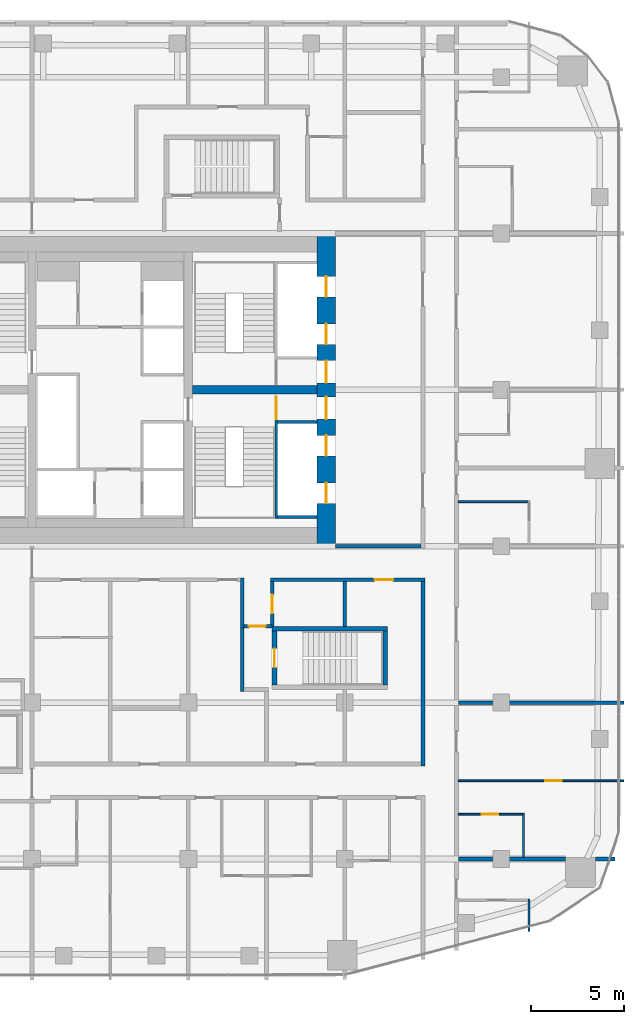
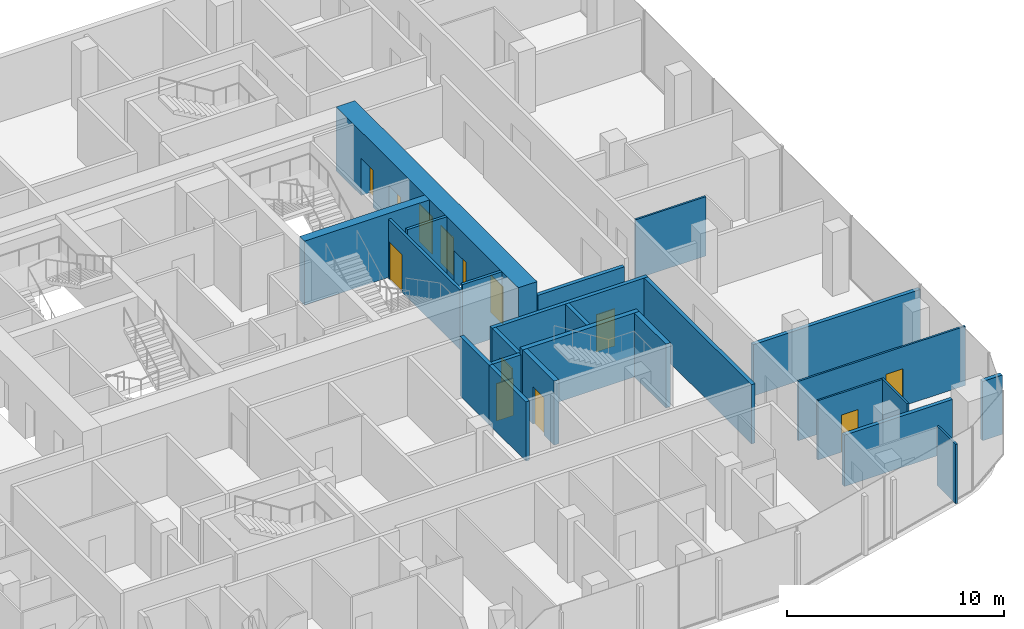
# One storey, part 17 of 23: 24 walls, 13 doors, 13 openings.
"""IFC4 building model written with IfcOpenShell, lengths in metres."""

from ifc_helpers import new_model, si_unit, direction, frame, frame_2d, origin, place, context, subcontext, project, spatial, rectangle, extrude, material, layer, layer_set, type_object, element, fill, save


model = new_model("IFC4")

# Units and contexts
model_context = context("Model", 3, precision=1e-05, world=origin(), true_north=direction((0.0, 1.0)))
body_context = subcontext(model_context, "Body", "Model", "MODEL_VIEW")
ifc_project = project(units=[si_unit("LENGTHUNIT", "METRE"), si_unit("AREAUNIT", "SQUARE_METRE"), si_unit("VOLUMEUNIT", "CUBIC_METRE"), si_unit("PLANEANGLEUNIT", "RADIAN"), si_unit("MASSUNIT", "GRAM", prefix="KILO")], contexts=[model_context])

# Site, building, storey
site_placement = place(None, origin())
site = spatial("IfcSite", under=ifc_project, at=site_placement, CompositionType="ELEMENT")
building_placement = place(site_placement, origin())
building = spatial("IfcBuilding", under=site, at=building_placement, Name="Marenta Gate Hotel Tower", CompositionType="ELEMENT")
storey_placement = place(building_placement, frame((0.0, 0.0, 155.300048828125)))
storey = spatial("IfcBuildingStorey", under=building, at=storey_placement, Name="L36", CompositionType="ELEMENT", Elevation=155.300048828125)

# Walls
ifc_material_1 = material(Name="Concrete blockwork", Category="masonry")
ifc_layer_1 = layer(ifc_material_1, 0.199951171875)
ifc_layer_set_1 = layer_set([ifc_layer_1], Name="Concrete blockwork")
wall_type_1 = type_object("IfcWallType", Name="Core boundary wall 200 REI 180", PredefinedType="PARTITIONING", material=ifc_layer_set_1)
wall_1_placement = place(storey_placement, frame((12.10009765625, 0.0, 0.0), z_axis=(0.0, 0.0, 1.0), x_axis=(1.0, 0.0, 0.0)))
element("IfcWall", 1, at=wall_1_placement, inside=storey, type_object=wall_type_1, Name="L36-CP-EW-ES", PredefinedType="PARTITIONING", context=body_context, shape_type="SweptSolid", body=[
    extrude(rectangle(XDim=4.599853515625, YDim=0.199951171875, at=frame_2d((2.2998046875, 0.0))), origin(), (0.0, 0.0, 1.0), 2.889892578125),
])
ifc_material_2 = material(Name="Concrete C40", Category="concrete")
ifc_layer_2 = layer(ifc_material_2, 0.14990234375)
ifc_layer_set_2 = layer_set([ifc_layer_2], Name="Concrete C40")
wall_type_2 = type_object("IfcWallType", Name="Core shaft wall 150 REI 180", PredefinedType="SHEAR", material=ifc_layer_set_2)
for number, where, z_axis, x_axis, name in (
    (2, (9.0, 6.675048828125, 0.0), (0.0, 0.0, 1.0), (1.0, 0.0, 0.0), "L36-SHF-SW-ES-2"),
    (3, (9.0, 1.574951171875, 0.0), (0.0, 0.0, 1.0), (1.0, 0.0, 0.0), "L36-SHF-SW-ES-5"),
):
    element("IfcWall", number, at=place(storey_placement, frame(where, z_axis=z_axis, x_axis=x_axis)), inside=storey, type_object=wall_type_2, Name=name, PredefinedType="SHEAR", context=body_context, shape_type="SweptSolid", body=[
        extrude(rectangle(XDim=2.10009765625, YDim=0.14990234375, at=frame_2d((1.050048828125, 0.0))), origin(), (0.0, 0.0, 1.0), 3.599853515625),
    ])

# Wall, opening, door
ifc_material_3 = material(Name="Concrete C40", Category="concrete")
ifc_layer_3 = layer(ifc_material_3, 0.14990234375)
ifc_layer_set_3 = layer_set([ifc_layer_3], Name="Concrete C40")
wall_type_3 = type_object("IfcWallType", Name="Core stair enclosure wall 150 REI 180", PredefinedType="SHEAR", material=ifc_layer_set_3)
wall_2_placement = place(storey_placement, frame((8.925048828125, 1.5, 0.0), z_axis=(0.0, 0.0, 1.0), x_axis=(0.0, 1.0, 0.0)))
wall_2 = element("IfcWall", 4, at=wall_2_placement, inside=storey, type_object=wall_type_3, Name="L36-SHF-SW-ES-3", PredefinedType="SHEAR", context=body_context, shape_type="SweptSolid", body=[
    extrude(rectangle(XDim=6.60009765625, YDim=0.14990234375, at=frame_2d((3.300048828125, 0.0))), origin(), (0.0, 0.0, 1.0), 3.33984375),
])
opening_1_placement = place(wall_2_placement, frame((5.324951171875, 0.0, 0.0)))
opening_1 = element("IfcOpeningElement", 5, at=opening_1_placement, cuts=wall_2, Name="Opening SD-ES", PredefinedType="OPENING", context=body_context, shape_type="SweptSolid", body=[
    extrude(rectangle(XDim=1.199951171875, YDim=2.10009765625, at=frame_2d((0.60009765625, 1.050048828125))), frame((0.0, 0.074951171875, 0.0), z_axis=(0.0, -1.0, 0.0), x_axis=(1.0, 0.0, 0.0)), (0.0, 0.0, 1.0), 0.14990234375),
])
ifc_material_4 = material(Name="Steel", Category="steel")
door_type_1 = type_object("IfcDoorType", Name="Core stair door 1200x2100 FD60", OperationType="SINGLE_SWING_LEFT", PredefinedType="DOOR", material=ifc_material_4)
door_1_placement = place(opening_1_placement, origin())
door_1 = element("IfcDoor", 6, at=door_1_placement, inside=storey, type_object=door_type_1, Name="SD-ES", OperationType="SINGLE_SWING_LEFT", OverallHeight=2.10009765625, OverallWidth=1.199951171875, PredefinedType="DOOR", context=body_context, shape_type="SweptSolid", body=[
    extrude(rectangle(XDim=1.199951171875, YDim=2.10009765625, at=frame_2d((0.60009765625, 1.050048828125))), frame((0.0, 0.02490234375, 0.0), z_axis=(0.0, -1.0, 0.0), x_axis=(1.0, 0.0, 0.0)), (0.0, 0.0, 1.0), 0.050048828125),
])
fill(opening_1, door_1)

# Wall, openings, doors
ifc_material_5 = material(Name="Concrete C70", Category="concrete")
ifc_layer_4 = layer(ifc_material_5, 1.0)
ifc_layer_set_4 = layer_set([ifc_layer_4], Name="Concrete C70")
wall_type_4 = type_object("IfcWallType", Name="Core wall 1000 C70", PredefinedType="SHEAR", material=ifc_layer_set_4)
wall_3_placement = place(storey_placement, frame((11.60009765625, 0.0, 0.0), z_axis=(0.0, 0.0, 1.0), x_axis=(0.0, 1.0, 0.0)))
wall_3 = element("IfcWall", 7, at=wall_3_placement, inside=storey, type_object=wall_type_4, Name="L36-CORE-E", PredefinedType="SHEAR", context=body_context, shape_type="SweptSolid", body=[
    extrude(rectangle(XDim=16.800048828125, YDim=1.0, at=frame_2d((8.39990234375, 0.0))), origin(), (0.0, 0.0, 1.0), 3.599853515625),
])
opening_2_placement = place(wall_3_placement, frame((2.300048828125, 0.0, 0.0)))
opening_2 = element("IfcOpeningElement", 8, at=opening_2_placement, cuts=wall_3, Name="Opening LD-HR1", PredefinedType="OPENING", context=body_context, shape_type="SweptSolid", body=[
    extrude(rectangle(XDim=1.10009765625, YDim=2.10009765625, at=frame_2d((0.550048828125, 1.050048828125))), frame((0.0, 0.5, 0.0), z_axis=(0.0, -1.0, 0.0), x_axis=(1.0, 0.0, 0.0)), (0.0, 0.0, 1.0), 1.0),
])
opening_3_placement = place(wall_3_placement, frame((4.85009765625, 0.0, 0.0)))
opening_3 = element("IfcOpeningElement", 9, at=opening_3_placement, cuts=wall_3, Name="Opening LD-HR2", PredefinedType="OPENING", context=body_context, shape_type="SweptSolid", body=[
    extrude(rectangle(XDim=1.10009765625, YDim=2.10009765625, at=frame_2d((0.550048828125, 1.050048828125))), frame((0.0, 0.5, 0.0), z_axis=(0.0, -1.0, 0.0), x_axis=(1.0, 0.0, 0.0)), (0.0, 0.0, 1.0), 1.0),
])
opening_4_placement = place(wall_3_placement, frame((6.824951171875, 0.0, 0.0)))
opening_4 = element("IfcOpeningElement", 10, at=opening_4_placement, cuts=wall_3, Name="Opening PD-ES", PredefinedType="OPENING", context=body_context, shape_type="SweptSolid", body=[
    extrude(rectangle(XDim=1.199951171875, YDim=2.10009765625, at=frame_2d((0.60009765625, 1.050048828125))), frame((0.0, 0.5, 0.0), z_axis=(0.0, -1.0, 0.0), x_axis=(1.0, 0.0, 0.0)), (0.0, 0.0, 1.0), 1.0),
])
opening_5_placement = place(wall_3_placement, frame((13.39990234375, 0.0, 0.0)))
opening_5 = element("IfcOpeningElement", 11, at=opening_5_placement, cuts=wall_3, Name="Opening LD-HR4", PredefinedType="OPENING", context=body_context, shape_type="SweptSolid", body=[
    extrude(rectangle(XDim=1.10009765625, YDim=2.10009765625, at=frame_2d((0.550048828125, 1.050048828125))), frame((0.0, 0.5, 0.0), z_axis=(0.0, -1.0, 0.0), x_axis=(1.0, 0.0, 0.0)), (0.0, 0.0, 1.0), 1.0),
])
opening_6_placement = place(wall_3_placement, frame((10.85009765625, 0.0, 0.0)))
opening_6 = element("IfcOpeningElement", 12, at=opening_6_placement, cuts=wall_3, Name="Opening LD-HR3", PredefinedType="OPENING", context=body_context, shape_type="SweptSolid", body=[
    extrude(rectangle(XDim=1.10009765625, YDim=2.10009765625, at=frame_2d((0.550048828125, 1.050048828125))), frame((0.0, 0.5, 0.0), z_axis=(0.0, -1.0, 0.0), x_axis=(1.0, 0.0, 0.0)), (0.0, 0.0, 1.0), 1.0),
])
opening_7_placement = place(wall_3_placement, frame((8.77490234375, 0.0, 0.0)))
opening_7 = element("IfcOpeningElement", 13, at=opening_7_placement, cuts=wall_3, Name="Opening PD-EN", PredefinedType="OPENING", context=body_context, shape_type="SweptSolid", body=[
    extrude(rectangle(XDim=1.199951171875, YDim=2.10009765625, at=frame_2d((0.60009765625, 1.050048828125))), frame((0.0, 0.5, 0.0), z_axis=(0.0, -1.0, 0.0), x_axis=(1.0, 0.0, 0.0)), (0.0, 0.0, 1.0), 1.0),
])
ifc_material_6 = material(Name="Steel", Category="steel")
door_type_2 = type_object("IfcDoorType", Name="Core lift landing door 1100x2100 E 60", OperationType="SLIDING_TO_LEFT", PredefinedType="DOOR", material=ifc_material_6)
door_2_placement = place(opening_2_placement, origin())
door_2 = element("IfcDoor", 14, at=door_2_placement, inside=storey, type_object=door_type_2, Name="LD-HR1", OperationType="SLIDING_TO_LEFT", OverallHeight=2.10009765625, OverallWidth=1.10009765625, PredefinedType="DOOR", context=body_context, shape_type="SweptSolid", body=[
    extrude(rectangle(XDim=1.10009765625, YDim=2.10009765625, at=frame_2d((0.550048828125, 1.050048828125))), frame((0.0, 0.02490234375, 0.0), z_axis=(0.0, -1.0, 0.0), x_axis=(1.0, 0.0, 0.0)), (0.0, 0.0, 1.0), 0.050048828125),
])
fill(opening_2, door_2)
door_3_placement = place(opening_3_placement, origin())
door_3 = element("IfcDoor", 15, at=door_3_placement, inside=storey, type_object=door_type_2, Name="LD-HR2", OperationType="SLIDING_TO_LEFT", OverallHeight=2.10009765625, OverallWidth=1.10009765625, PredefinedType="DOOR", context=body_context, shape_type="SweptSolid", body=[
    extrude(rectangle(XDim=1.10009765625, YDim=2.10009765625, at=frame_2d((0.550048828125, 1.050048828125))), frame((0.0, 0.02490234375, 0.0), z_axis=(0.0, -1.0, 0.0), x_axis=(1.0, 0.0, 0.0)), (0.0, 0.0, 1.0), 0.050048828125),
])
fill(opening_3, door_3)
door_4_placement = place(opening_5_placement, origin())
door_4 = element("IfcDoor", 16, at=door_4_placement, inside=storey, type_object=door_type_2, Name="LD-HR4", OperationType="SLIDING_TO_LEFT", OverallHeight=2.10009765625, OverallWidth=1.10009765625, PredefinedType="DOOR", context=body_context, shape_type="SweptSolid", body=[
    extrude(rectangle(XDim=1.10009765625, YDim=2.10009765625, at=frame_2d((0.550048828125, 1.050048828125))), frame((0.0, 0.02490234375, 0.0), z_axis=(0.0, -1.0, 0.0), x_axis=(1.0, 0.0, 0.0)), (0.0, 0.0, 1.0), 0.050048828125),
])
fill(opening_5, door_4)
door_5_placement = place(opening_6_placement, origin())
door_5 = element("IfcDoor", 17, at=door_5_placement, inside=storey, type_object=door_type_2, Name="LD-HR3", OperationType="SLIDING_TO_LEFT", OverallHeight=2.10009765625, OverallWidth=1.10009765625, PredefinedType="DOOR", context=body_context, shape_type="SweptSolid", body=[
    extrude(rectangle(XDim=1.10009765625, YDim=2.10009765625, at=frame_2d((0.550048828125, 1.050048828125))), frame((0.0, 0.02490234375, 0.0), z_axis=(0.0, -1.0, 0.0), x_axis=(1.0, 0.0, 0.0)), (0.0, 0.0, 1.0), 0.050048828125),
])
fill(opening_6, door_5)
ifc_material_7 = material(Name="Steel", Category="steel")
door_type_3 = type_object("IfcDoorType", Name="Core lobby door 1200x2100 FD60", OperationType="SINGLE_SWING_LEFT", PredefinedType="DOOR", material=ifc_material_7)
door_6_placement = place(opening_4_placement, origin())
door_6 = element("IfcDoor", 18, at=door_6_placement, inside=storey, type_object=door_type_3, Name="PD-ES", OperationType="SINGLE_SWING_LEFT", OverallHeight=2.10009765625, OverallWidth=1.199951171875, PredefinedType="DOOR", context=body_context, shape_type="SweptSolid", body=[
    extrude(rectangle(XDim=1.199951171875, YDim=2.10009765625, at=frame_2d((0.60009765625, 1.050048828125))), frame((0.0, 0.02490234375, 0.0), z_axis=(0.0, -1.0, 0.0), x_axis=(1.0, 0.0, 0.0)), (0.0, 0.0, 1.0), 0.050048828125),
])
fill(opening_4, door_6)
door_7_placement = place(opening_7_placement, origin())
door_7 = element("IfcDoor", 19, at=door_7_placement, inside=storey, type_object=door_type_3, Name="PD-EN", OperationType="SINGLE_SWING_LEFT", OverallHeight=2.10009765625, OverallWidth=1.199951171875, PredefinedType="DOOR", context=body_context, shape_type="SweptSolid", body=[
    extrude(rectangle(XDim=1.199951171875, YDim=2.10009765625, at=frame_2d((0.60009765625, 1.050048828125))), frame((0.0, 0.02490234375, 0.0), z_axis=(0.0, -1.0, 0.0), x_axis=(1.0, 0.0, 0.0)), (0.0, 0.0, 1.0), 0.050048828125),
])
fill(opening_7, door_7)

# Walls
ifc_material_8 = material(Name="Concrete C70", Category="concrete")
ifc_layer_5 = layer(ifc_material_8, 0.449951171875)
ifc_layer_set_5 = layer_set([ifc_layer_5], Name="Concrete C70")
wall_type_5 = type_object("IfcWallType", Name="Core web 450 C70", PredefinedType="SHEAR", material=ifc_layer_set_5)
wall_4_placement = place(storey_placement, frame((4.425048828125, 8.39990234375, 0.0), z_axis=(0.0, 0.0, 1.0), x_axis=(1.0, 0.0, 0.0)))
element("IfcWall", 20, at=wall_4_placement, inside=storey, type_object=wall_type_5, Name="L36-CORE-W4", PredefinedType="SHEAR", context=body_context, shape_type="SweptSolid", body=[
    extrude(rectangle(XDim=6.675048828125, YDim=0.449951171875, at=frame_2d((3.33740234375, 0.0))), origin(), (0.0, 0.0, 1.0), 3.599853515625),
])
ifc_material_9 = material(Name="Concrete C40", Category="concrete")
ifc_layer_6 = layer(ifc_material_9, 0.25)
ifc_layer_set_6 = layer_set([ifc_layer_6], Name="Concrete C40")
wall_type_6 = type_object("IfcWallType", Name="Remote stair enclosure wall 250 REI 180", PredefinedType="SHEAR", material=ifc_layer_set_6)
wall_5_placement = place(storey_placement, frame((8.699951171875, -4.425048828125, 0.099853515625), z_axis=(0.0, 0.0, 1.0), x_axis=(1.0, 0.0, 0.0)))
element("IfcWall", 21, at=wall_5_placement, inside=storey, type_object=wall_type_6, Name="L36-RS-Z2-2-W2", PredefinedType="SHEAR", context=body_context, shape_type="SweptSolid", body=[
    extrude(rectangle(XDim=6.199951171875, YDim=0.25, at=frame_2d((3.10009765625, 0.0))), origin(), (0.0, 0.0, 1.0), 3.60009765625),
])

# Wall, opening, door
wall_6_placement = place(storey_placement, frame((8.824951171875, -7.449951171875, 0.099853515625), z_axis=(0.0, 0.0, 1.0), x_axis=(0.0, 1.0, 0.0)))
wall_6 = element("IfcWall", 22, at=wall_6_placement, inside=storey, type_object=wall_type_6, Name="L36-RS-Z2-2-W3", PredefinedType="SHEAR", context=body_context, shape_type="SweptSolid", body=[
    extrude(rectangle(XDim=2.89990234375, YDim=0.25, at=frame_2d((1.449951171875, 0.0))), origin(), (0.0, 0.0, 1.0), 3.60009765625),
])
opening_8_placement = place(wall_6_placement, frame((0.949951171875, 0.0, 0.0)))
opening_8 = element("IfcOpeningElement", 23, at=opening_8_placement, cuts=wall_6, Name="Opening VD", PredefinedType="OPENING", context=body_context, shape_type="SweptSolid", body=[
    extrude(rectangle(XDim=1.0, YDim=2.10009765625, at=frame_2d((0.5, 1.050048828125))), frame((0.0, 0.125, 0.0), z_axis=(0.0, -1.0, 0.0), x_axis=(1.0, 0.0, 0.0)), (0.0, 0.0, 1.0), 0.25),
])
ifc_material_10 = material(Name="Steel", Category="steel")
door_type_4 = type_object("IfcDoorType", Name="Stair vestibule door 1000x2100 FD60", OperationType="SINGLE_SWING_LEFT", PredefinedType="DOOR", material=ifc_material_10)
door_8_placement = place(opening_8_placement, origin())
door_8 = element("IfcDoor", 24, at=door_8_placement, inside=storey, type_object=door_type_4, Name="VD", OperationType="SINGLE_SWING_LEFT", OverallHeight=2.10009765625, OverallWidth=1.0, PredefinedType="DOOR", context=body_context, shape_type="SweptSolid", body=[
    extrude(rectangle(XDim=1.0, YDim=2.10009765625, at=frame_2d((0.5, 1.050048828125))), frame((0.0, 0.02490234375, 0.0), z_axis=(0.0, -1.0, 0.0), x_axis=(1.0, 0.0, 0.0)), (0.0, 0.0, 1.0), 0.050048828125),
])
fill(opening_8, door_8)

# Walls
wall_7_placement = place(storey_placement, frame((14.77490234375, -7.449951171875, 0.099853515625), z_axis=(0.0, 0.0, 1.0), x_axis=(0.0, 1.0, 0.0)))
element("IfcWall", 25, at=wall_7_placement, inside=storey, type_object=wall_type_6, Name="L36-RS-Z2-2-W4", PredefinedType="SHEAR", context=body_context, shape_type="SweptSolid", body=[
    extrude(rectangle(XDim=2.89990234375, YDim=0.25, at=frame_2d((1.449951171875, 0.0))), origin(), (0.0, 0.0, 1.0), 3.60009765625),
])
ifc_material_11 = material(Name="Gypsum board on steel stud", Category="steel")
ifc_layer_7 = layer(ifc_material_11, 0.199951171875)
ifc_layer_set_7 = layer_set([ifc_layer_7], Name="Gypsum board on steel stud")
wall_type_7 = type_object("IfcWallType", Name="Room corridor wall 200 EI 60", PredefinedType="PARTITIONING", material=ifc_layer_set_7)
wall_8_placement = place(storey_placement, frame((16.800048828125, -11.800048828125, 0.0), z_axis=(0.0, 0.0, 1.0), x_axis=(0.0, 1.0, 0.0)))
element("IfcWall", 26, at=wall_8_placement, inside=storey, type_object=wall_type_7, Name="L36-PTN-W016", PredefinedType="PARTITIONING", context=body_context, shape_type="SweptSolid", body=[
    extrude(rectangle(XDim=9.900146484375, YDim=0.199951171875, at=frame_2d((4.9501953125, 0.0))), origin(), (0.0, 0.0, 1.0), 3.33984375),
])

# Wall, opening, door
wall_9_placement = place(storey_placement, frame((8.699951171875, -4.300048828125, 0.0), z_axis=(0.0, 0.0, 1.0), x_axis=(0.0, 1.0, 0.0)))
wall_9 = element("IfcWall", 27, at=wall_9_placement, inside=storey, type_object=wall_type_7, Name="L36-PTN-W040", PredefinedType="PARTITIONING", context=body_context, shape_type="SweptSolid", body=[
    extrude(rectangle(XDim=2.400146484375, YDim=0.199951171875, at=frame_2d((1.2001953125, 0.0))), origin(), (0.0, 0.0, 1.0), 3.33984375),
])
opening_9_placement = place(wall_9_placement, frame((0.699951171875, 0.0, 0.0)))
opening_9 = element("IfcOpeningElement", 28, at=opening_9_placement, cuts=wall_9, Name="Opening G13-64", PredefinedType="OPENING", context=body_context, shape_type="SweptSolid", body=[
    extrude(rectangle(XDim=1.0, YDim=2.10009765625, at=frame_2d((0.5, 1.050048828125))), frame((0.0, 0.10009765625, 0.0), z_axis=(0.0, -1.0, 0.0), x_axis=(1.0, 0.0, 0.0)), (0.0, 0.0, 1.0), 0.199951171875),
])
ifc_material_12 = material(Name="Timber door leaf", Category="wood")
door_type_5 = type_object("IfcDoorType", Name="Room amenity door 1000x2100 EI 30", OperationType="NOTDEFINED", PredefinedType="DOOR", material=ifc_material_12)
door_9_placement = place(opening_9_placement, origin())
door_9 = element("IfcDoor", 29, at=door_9_placement, inside=storey, type_object=door_type_5, Name="L36-PD-D064", OperationType="SINGLE_SWING_LEFT", OverallHeight=2.10009765625, OverallWidth=1.0, PredefinedType="DOOR", context=body_context, shape_type="SweptSolid", body=[
    extrude(rectangle(XDim=1.0, YDim=2.10009765625, at=frame_2d((0.5, 1.050048828125))), frame((0.0, 0.02490234375, 0.0), z_axis=(0.0, -1.0, 0.0), x_axis=(1.0, 0.0, 0.0)), (0.0, 0.0, 1.0), 0.050048828125),
])
fill(opening_9, door_9)

# Wall
wall_10_placement = place(storey_placement, frame((7.10009765625, -4.39990234375, 0.0), z_axis=(0.0, 0.0, 1.0), x_axis=(0.0, 1.0, 0.0)))
element("IfcWall", 30, at=wall_10_placement, inside=storey, type_object=wall_type_7, Name="L36-PTN-W050", PredefinedType="PARTITIONING", context=body_context, shape_type="SweptSolid", body=[
    extrude(rectangle(XDim=2.699951171875, YDim=0.199951171875, at=frame_2d((1.35009765625, 0.0))), origin(), (0.0, 0.0, 1.0), 3.33984375),
])

# Wall, opening, door
wall_11_placement = place(storey_placement, frame((8.60009765625, -1.800048828125, 0.0), z_axis=(0.0, 0.0, 1.0), x_axis=(1.0, 0.0, 0.0)))
wall_11 = element("IfcWall", 31, at=wall_11_placement, inside=storey, type_object=wall_type_7, Name="L36-PTN-W064", PredefinedType="PARTITIONING", context=body_context, shape_type="SweptSolid", body=[
    extrude(rectangle(XDim=8.2998046875, YDim=0.199951171875, at=frame_2d((4.14990234375, 0.0))), origin(), (0.0, 0.0, 1.0), 3.33984375),
])
opening_10_placement = place(wall_11_placement, frame((5.60009765625, 0.0, 0.0)))
opening_10 = element("IfcOpeningElement", 32, at=opening_10_placement, cuts=wall_11, Name="Opening G13-07", PredefinedType="OPENING", context=body_context, shape_type="SweptSolid", body=[
    extrude(rectangle(XDim=1.0, YDim=2.10009765625, at=frame_2d((0.5, 1.050048828125))), frame((0.0, 0.10009765625, 0.0), z_axis=(0.0, -1.0, 0.0), x_axis=(1.0, 0.0, 0.0)), (0.0, 0.0, 1.0), 0.199951171875),
])
door_10_placement = place(opening_10_placement, origin())
door_10 = element("IfcDoor", 33, at=door_10_placement, inside=storey, type_object=door_type_5, Name="L36-PD-D007", OperationType="SINGLE_SWING_LEFT", OverallHeight=2.10009765625, OverallWidth=1.0, PredefinedType="DOOR", context=body_context, shape_type="SweptSolid", body=[
    extrude(rectangle(XDim=1.0, YDim=2.10009765625, at=frame_2d((0.5, 1.050048828125))), frame((0.0, 0.02490234375, 0.0), z_axis=(0.0, -1.0, 0.0), x_axis=(1.0, 0.0, 0.0)), (0.0, 0.0, 1.0), 0.050048828125),
])
fill(opening_10, door_10)

ifc_material_13 = material(Name="Concrete blockwork", Category="masonry")
ifc_layer_8 = layer(ifc_material_13, 0.199951171875)
ifc_layer_set_8 = layer_set([ifc_layer_8], Name="Concrete blockwork")
wall_type_8 = type_object("IfcWallType", Name="Room corridor wall 200 REI 180", PredefinedType="PARTITIONING", material=ifc_layer_set_8)
wall_12_placement = place(storey_placement, frame((7.199951171875, -4.300048828125, 0.0), z_axis=(0.0, 0.0, 1.0), x_axis=(1.0, 0.0, 0.0)))
wall_12 = element("IfcWall", 34, at=wall_12_placement, inside=storey, type_object=wall_type_8, Name="L36-PTN-W055", PredefinedType="PARTITIONING", context=body_context, shape_type="SweptSolid", body=[
    extrude(rectangle(XDim=1.5, YDim=0.199951171875, at=frame_2d((0.75, 0.0))), origin(), (0.0, 0.0, 1.0), 3.33984375),
])
opening_11_placement = place(wall_12_placement, frame((0.25, 0.0, 0.0)))
opening_11 = element("IfcOpeningElement", 35, at=opening_11_placement, cuts=wall_12, Name="Opening G13-60", PredefinedType="OPENING", context=body_context, shape_type="SweptSolid", body=[
    extrude(rectangle(XDim=0.89990234375, YDim=2.10009765625, at=frame_2d((0.449951171875, 1.050048828125))), frame((0.0, 0.10009765625, 0.0), z_axis=(0.0, -1.0, 0.0), x_axis=(1.0, 0.0, 0.0)), (0.0, 0.0, 1.0), 0.199951171875),
])
ifc_material_14 = material(Name="Hollow steel door set", Category="steel")
door_type_6 = type_object("IfcDoorType", Name="Stair vestibule door 900x2100 EI 60", OperationType="NOTDEFINED", PredefinedType="DOOR", material=ifc_material_14)
door_11_placement = place(opening_11_placement, origin())
door_11 = element("IfcDoor", 36, at=door_11_placement, inside=storey, type_object=door_type_6, Name="L36-PD-D060", OperationType="SINGLE_SWING_RIGHT", OverallHeight=2.10009765625, OverallWidth=0.89990234375, PredefinedType="DOOR", context=body_context, shape_type="SweptSolid", body=[
    extrude(rectangle(XDim=0.89990234375, YDim=2.10009765625, at=frame_2d((0.449951171875, 1.050048828125))), frame((0.0, 0.02490234375, 0.0), z_axis=(0.0, -1.0, 0.0), x_axis=(1.0, 0.0, 0.0)), (0.0, 0.0, 1.0), 0.050048828125),
])
fill(opening_11, door_11)

# Walls
ifc_material_15 = material(Name="Gypsum board on steel stud", Category="steel")
ifc_layer_9 = layer(ifc_material_15, 0.10009765625)
ifc_layer_set_9 = layer_set([ifc_layer_9], Name="Gypsum board on steel stud")
wall_type_9 = type_object("IfcWallType", Name="Room partition 100", PredefinedType="PARTITIONING", material=ifc_layer_set_9)
wall_13_placement = place(storey_placement, frame((22.5, -20.674072265625, 0.0), z_axis=(0.0, 0.0, 1.0), x_axis=(0.0, 1.0, 0.0)))
element("IfcWall", 37, at=wall_13_placement, inside=storey, type_object=wall_type_9, Name="L36-PTN-W001", PredefinedType="PARTITIONING", context=body_context, shape_type="SweptSolid", body=[
    extrude(rectangle(XDim=1.716064453125, YDim=0.10009765625, at=frame_2d((0.85791015625, 0.0))), origin(), (0.0, 0.0, 1.0), 3.33984375),
])
wall_14_placement = place(storey_placement, frame((22.199951171875, -16.699951171875, 0.0), z_axis=(0.0, 0.0, 1.0), x_axis=(0.0, 1.0, 0.0)))
element("IfcWall", 38, at=wall_14_placement, inside=storey, type_object=wall_type_9, Name="L36-PTN-W004", PredefinedType="PARTITIONING", context=body_context, shape_type="SweptSolid", body=[
    extrude(rectangle(XDim=2.349853515625, YDim=0.10009765625, at=frame_2d((1.1748046875, 0.0))), origin(), (0.0, 0.0, 1.0), 3.33984375),
])

# Wall, opening, door
wall_15_placement = place(storey_placement, frame((18.699951171875, -14.39990234375, 0.0), z_axis=(0.0, 0.0, 1.0), x_axis=(1.0, 0.0, 0.0)))
wall_15 = element("IfcWall", 39, at=wall_15_placement, inside=storey, type_object=wall_type_9, Name="L36-PTN-W023", PredefinedType="PARTITIONING", context=body_context, shape_type="SweptSolid", body=[
    extrude(rectangle(XDim=3.449951171875, YDim=0.10009765625, at=frame_2d((1.72509765625, 0.0))), origin(), (0.0, 0.0, 1.0), 3.33984375),
])
opening_12_placement = place(wall_15_placement, frame((1.25, 0.0, 0.0)))
opening_12 = element("IfcOpeningElement", 40, at=opening_12_placement, cuts=wall_15, Name="Opening G13-12", PredefinedType="OPENING", context=body_context, shape_type="SweptSolid", body=[
    extrude(rectangle(XDim=0.89990234375, YDim=2.10009765625, at=frame_2d((0.449951171875, 1.050048828125))), frame((0.0, 0.050048828125, 0.0), z_axis=(0.0, -1.0, 0.0), x_axis=(1.0, 0.0, 0.0)), (0.0, 0.0, 1.0), 0.10009765625),
])
ifc_material_16 = material(Name="Timber door leaf", Category="wood")
door_type_7 = type_object("IfcDoorType", Name="Guest bathroom door 900x2100", OperationType="NOTDEFINED", PredefinedType="DOOR", material=ifc_material_16)
door_12_placement = place(opening_12_placement, origin())
door_12 = element("IfcDoor", 41, at=door_12_placement, inside=storey, type_object=door_type_7, Name="L36-PD-D012", OperationType="SINGLE_SWING_RIGHT", OverallHeight=2.10009765625, OverallWidth=0.89990234375, PredefinedType="DOOR", context=body_context, shape_type="SweptSolid", body=[
    extrude(rectangle(XDim=0.89990234375, YDim=2.10009765625, at=frame_2d((0.449951171875, 1.050048828125))), frame((0.0, 0.02490234375, 0.0), z_axis=(0.0, -1.0, 0.0), x_axis=(1.0, 0.0, 0.0)), (0.0, 0.0, 1.0), 0.050048828125),
])
fill(opening_12, door_12)

wall_16_placement = place(storey_placement, frame((18.699951171875, -12.60009765625, 0.0), z_axis=(0.0, 0.0, 1.0), x_axis=(1.0, 0.0, 0.0)))
wall_16 = element("IfcWall", 42, at=wall_16_placement, inside=storey, type_object=wall_type_9, Name="L36-PTN-W032", PredefinedType="PARTITIONING", context=body_context, shape_type="SweptSolid", body=[
    extrude(rectangle(XDim=8.900146484375, YDim=0.10009765625, at=frame_2d((4.4501953125, 0.0))), origin(), (0.0, 0.0, 1.0), 3.33984375),
])
opening_13_placement = place(wall_16_placement, frame((4.669921875, 0.0, 0.0)))
opening_13 = element("IfcOpeningElement", 43, at=opening_13_placement, cuts=wall_16, Name="Opening G13-11", PredefinedType="OPENING", context=body_context, shape_type="SweptSolid", body=[
    extrude(rectangle(XDim=0.89990234375, YDim=2.10009765625, at=frame_2d((0.449951171875, 1.050048828125))), frame((0.0, 0.050048828125, 0.0), z_axis=(0.0, -1.0, 0.0), x_axis=(1.0, 0.0, 0.0)), (0.0, 0.0, 1.0), 0.10009765625),
])
ifc_material_17 = material(Name="Timber door leaf", Category="wood")
door_type_8 = type_object("IfcDoorType", Name="Room inner door 900x2100", OperationType="NOTDEFINED", PredefinedType="DOOR", material=ifc_material_17)
door_13_placement = place(opening_13_placement, origin())
door_13 = element("IfcDoor", 44, at=door_13_placement, inside=storey, type_object=door_type_8, Name="L36-PD-D011", OperationType="SINGLE_SWING_RIGHT", OverallHeight=2.10009765625, OverallWidth=0.89990234375, PredefinedType="DOOR", context=body_context, shape_type="SweptSolid", body=[
    extrude(rectangle(XDim=0.89990234375, YDim=2.10009765625, at=frame_2d((0.449951171875, 1.050048828125))), frame((0.0, 0.02490234375, 0.0), z_axis=(0.0, -1.0, 0.0), x_axis=(1.0, 0.0, 0.0)), (0.0, 0.0, 1.0), 0.050048828125),
])
fill(opening_13, door_13)

# Walls
wall_17_placement = place(storey_placement, frame((18.699951171875, 2.39990234375, 0.0), z_axis=(0.0, 0.0, 1.0), x_axis=(1.0, 0.0, 0.0)))
element("IfcWall", 45, at=wall_17_placement, inside=storey, type_object=wall_type_9, Name="L36-PTN-W071", PredefinedType="PARTITIONING", context=body_context, shape_type="SweptSolid", body=[
    extrude(rectangle(XDim=3.75, YDim=0.10009765625, at=frame_2d((1.875, 0.0))), origin(), (0.0, 0.0, 1.0), 3.33984375),
])
ifc_material_18 = material(Name="Gypsum board on steel stud", Category="steel")
ifc_layer_10 = layer(ifc_material_18, 0.199951171875)
ifc_layer_set_10 = layer_set([ifc_layer_10], Name="Gypsum board on steel stud")
wall_type_10 = type_object("IfcWallType", Name="Room party wall 200 EI 60", PredefinedType="PARTITIONING", material=ifc_layer_set_10)
wall_18_placement = place(storey_placement, frame((18.699951171875, -16.800048828125, 0.0), z_axis=(0.0, 0.0, 1.0), x_axis=(1.0, 0.0, 0.0)))
element("IfcWall", 46, at=wall_18_placement, inside=storey, type_object=wall_type_10, Name="L36-PTN-W019", PredefinedType="PARTITIONING", context=body_context, shape_type="SweptSolid", body=[
    extrude(rectangle(XDim=5.762939453125, YDim=0.199951171875, at=frame_2d((2.88134765625, 0.0))), origin(), (0.0, 0.0, 1.0), 2.889892578125),
])
wall_19_placement = place(storey_placement, frame((26.06298828125, -16.800048828125, 0.0), z_axis=(0.0, 0.0, 1.0), x_axis=(1.0, 0.0, 0.0)))
element("IfcWall", 47, at=wall_19_placement, inside=storey, type_object=wall_type_10, Name="L36-PTN-W121", PredefinedType="PARTITIONING", context=body_context, shape_type="SweptSolid", body=[
    extrude(rectangle(XDim=1.049072265625, YDim=0.199951171875, at=frame_2d((0.5244140625, 0.0))), origin(), (0.0, 0.0, 1.0), 3.33984375),
])
wall_20_placement = place(storey_placement, frame((12.60009765625, -4.300048828125, 0.0), z_axis=(0.0, 0.0, 1.0), x_axis=(0.0, 1.0, 0.0)))
element("IfcWall", 48, at=wall_20_placement, inside=storey, type_object=wall_type_10, Name="L36-PTN-W029", PredefinedType="PARTITIONING", context=body_context, shape_type="SweptSolid", body=[
    extrude(rectangle(XDim=2.400146484375, YDim=0.199951171875, at=frame_2d((1.2001953125, 0.0))), origin(), (0.0, 0.0, 1.0), 3.33984375),
])
wall_21_placement = place(storey_placement, frame((18.699951171875, -8.39990234375, 0.0), z_axis=(0.0, 0.0, 1.0), x_axis=(1.0, 0.0, 0.0)))
element("IfcWall", 49, at=wall_21_placement, inside=storey, type_object=wall_type_10, Name="L36-PTN-W045", PredefinedType="PARTITIONING", context=body_context, shape_type="SweptSolid", body=[
    extrude(rectangle(XDim=8.900146484375, YDim=0.199951171875, at=frame_2d((4.4501953125, 0.0))), origin(), (0.0, 0.0, 1.0), 2.889892578125),
])
ifc_material_19 = material(Name="Concrete blockwork", Category="masonry")
ifc_layer_11 = layer(ifc_material_19, 0.199951171875)
ifc_layer_set_11 = layer_set([ifc_layer_11], Name="Concrete blockwork")
wall_type_11 = type_object("IfcWallType", Name="Room party wall 200 REI 180", PredefinedType="PARTITIONING", material=ifc_layer_set_11)
wall_22_placement = place(storey_placement, frame((7.10009765625, -7.800048828125, 0.0), z_axis=(0.0, 0.0, 1.0), x_axis=(0.0, 1.0, 0.0)))
element("IfcWall", 50, at=wall_22_placement, inside=storey, type_object=wall_type_11, Name="L36-PTN-W049", PredefinedType="PARTITIONING", context=body_context, shape_type="SweptSolid", body=[
    extrude(rectangle(XDim=3.400146484375, YDim=0.199951171875, at=frame_2d((1.7001953125, 0.0))), origin(), (0.0, 0.0, 1.0), 3.33984375),
])

save(model, "model.ifc")
